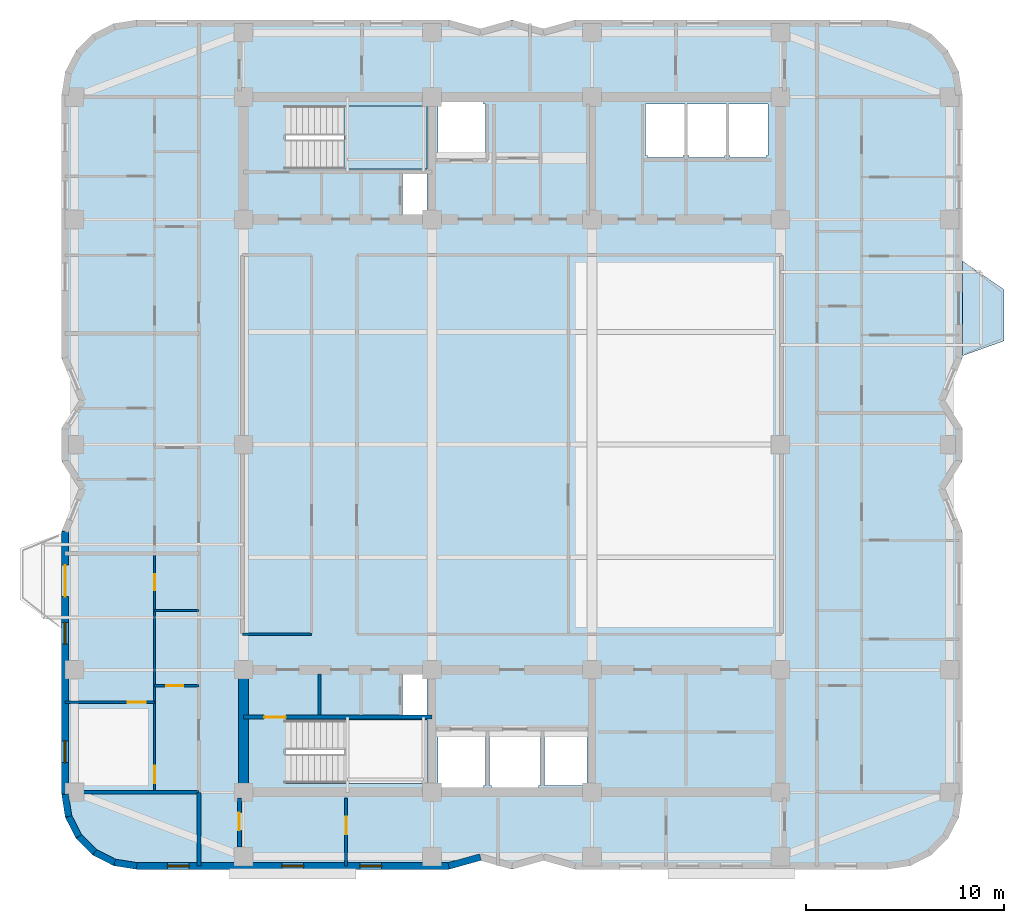
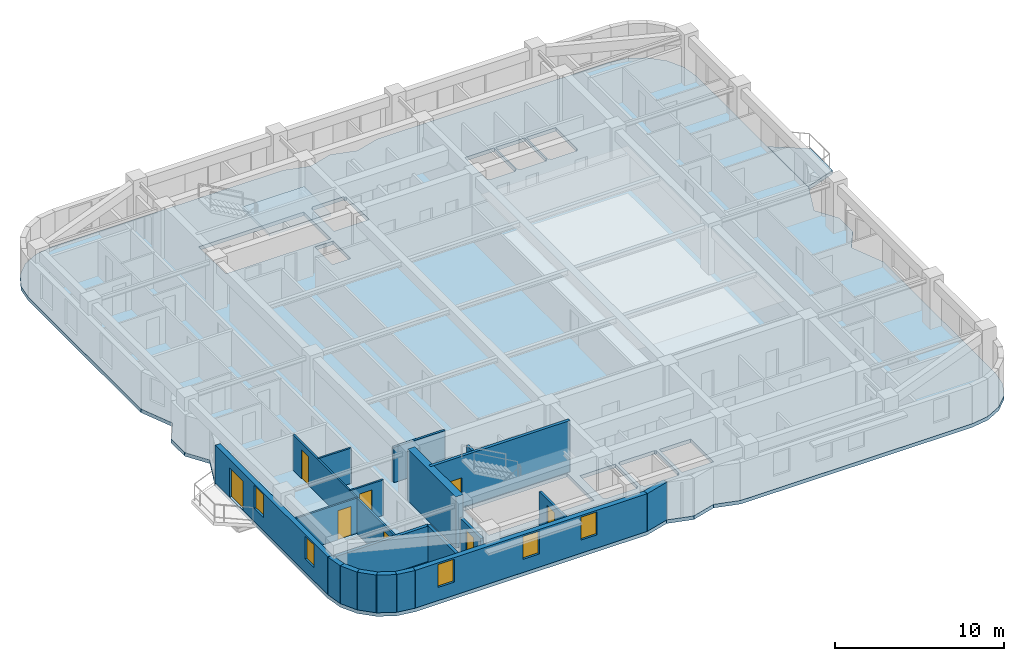
# One storey, part 2 of 9: 20 walls, 8 doors, 5 windows, 3 slabs, 13 openings, 1 element without a shape of its own.
"""IFC4 building model written with IfcOpenShell, lengths in metres."""

from ifc_helpers import new_model, si_unit, direction, frame, frame_2d, origin, place, context, subcontext, project, spatial, polyline, rectangle, outline, extrude, material, layer, layer_set, type_object, element, fill, aggregate, save


model = new_model("IFC4")

# Units and contexts
model_context = context("Model", 3, precision=1e-05, world=origin(), true_north=direction((0.0, 1.0)))
body_context = subcontext(model_context, "Body", "Model", "MODEL_VIEW")
ifc_project = project(units=[si_unit("LENGTHUNIT", "METRE"), si_unit("AREAUNIT", "SQUARE_METRE"), si_unit("VOLUMEUNIT", "CUBIC_METRE"), si_unit("PLANEANGLEUNIT", "RADIAN"), si_unit("MASSUNIT", "GRAM", prefix="KILO")], contexts=[model_context])

# Site, building, storey
site_placement = place(None, origin())
site = spatial("IfcSite", under=ifc_project, at=site_placement, CompositionType="ELEMENT")
building_placement = place(site_placement, origin())
building = spatial("IfcBuilding", under=site, at=building_placement, Name="Svetorya Sky Lyceum", CompositionType="ELEMENT")
storey_placement = place(building_placement, frame((0.0, 0.0, 155.199951171875)))
storey = spatial("IfcBuildingStorey", under=building, at=storey_placement, Name="L38", CompositionType="ELEMENT", Elevation=155.199951171875)

# Slab
ifc_material_1 = material(Name="Concrete C40/50", Category="concrete")
ifc_layer_1 = layer(ifc_material_1, 0.260009765625)
ifc_layer_set_1 = layer_set([ifc_layer_1], Name="Concrete C40/50")
slab_type_1 = type_object("IfcSlabType", Name="SL-BAL-260", PredefinedType="FLOOR", material=ifc_layer_set_1)
slab_1_placement = place(storey_placement, frame((0.0, 0.0, -0.260009765625)))
element("IfcSlab", 1, at=slab_1_placement, inside=storey, type_object=slab_type_1, Name="L38 Chamfered Loggia Balcony BAL-E1", PredefinedType="FLOOR", context=body_context, shape_type="SweptSolid", body=[
    extrude(outline(polyline([(62.010009765625, 32.699951171875), (64.110107421875, 33.449951171875), (64.110107421875, 36.050048828125), (62.010009765625, 37.5), (62.010009765625, 32.699951171875)])), origin(), (0.0, 0.0, 1.0), 0.260009765625),
])

# Stair, slab
stair_type = type_object("IfcStairType", Name="STR-ST-N", PredefinedType="HALF_TURN_STAIR", material=ifc_material_1)
stair_placement = place(storey_placement, origin())
stair = element("IfcStair", 2, at=stair_placement, inside=storey, type_object=stair_type, Name="L38 North Core Smoke-Free Exit Stair N3", PredefinedType="HALF_TURN_STAIR")
ifc_layer_2 = layer(ifc_material_1, 0.199951171875)
ifc_layer_set_2 = layer_set([ifc_layer_2], Name="Concrete C40/50")
slab_type_2 = type_object("IfcSlabType", Name="SL-STR-LAND-200", PredefinedType="LANDING", material=ifc_layer_set_2)
slab_2_placement = place(storey_placement, frame((0.0, 0.0, 1.650146484375)))
slab_2 = element("IfcSlab", 3, at=slab_2_placement, type_object=slab_type_2, Name="ST-N landing 1", PredefinedType="LANDING", context=body_context, shape_type="SweptSolid", body=[
    extrude(outline(polyline([(30.699951171875, 42.14990234375), (34.89990234375, 42.14990234375), (34.89990234375, 45.35009765625), (30.699951171875, 45.35009765625), (30.699951171875, 42.14990234375)])), origin(), (0.0, 0.0, 1.0), 0.199951171875),
])
aggregate(stair, [slab_2])

# Slab
ifc_material_2 = material(Name="Concrete C50/60", Category="concrete")
ifc_layer_3 = layer(ifc_material_2, 0.260009765625)
ifc_layer_set_3 = layer_set([ifc_layer_3], Name="Concrete C50/60")
slab_type_3 = type_object("IfcSlabType", Name="SL-TWR-260", PredefinedType="FLOOR", material=ifc_layer_set_3)
slab_3_placement = place(storey_placement, frame((0.0, 0.0, -0.260009765625)))
element("IfcSlab", 4, at=slab_3_placement, inside=storey, type_object=slab_type_3, Name="L38 Structural Floor Slab", PredefinedType="FLOOR", context=body_context, shape_type="SweptSolid", body=[
    extrude(outline(polyline([(16.39990234375, 10.5), (16.5859375, 9.32568359375), (17.125732421875, 8.266357421875), (17.96630859375, 7.42578125), (19.025634765625, 6.885986328125), (20.199951171875, 6.699951171875), (36.0, 6.699951171875), (37.60009765625, 7.14990234375), (39.199951171875, 6.699951171875), (40.800048828125, 7.14990234375), (42.39990234375, 6.699951171875), (58.199951171875, 6.699951171875), (59.374267578125, 6.885986328125), (60.43359375, 7.42578125), (61.2744140625, 8.266357421875), (61.81396484375, 9.32568359375), (62.0, 10.5), (62.0, 23.800048828125), (61.10009765625, 26.0), (62.0, 27.39990234375), (62.0, 29.0), (61.10009765625, 30.39990234375), (62.0, 32.60009765625), (62.0, 45.89990234375), (61.81396484375, 47.07421875), (61.2744140625, 48.133544921875), (60.43359375, 48.974365234375), (59.374267578125, 49.513916015625), (58.199951171875, 49.699951171875), (42.39990234375, 49.699951171875), (40.800048828125, 49.25), (39.199951171875, 49.699951171875), (37.60009765625, 49.25), (36.0, 49.699951171875), (20.199951171875, 49.699951171875), (19.025634765625, 49.513916015625), (17.96630859375, 48.974365234375), (17.125732421875, 48.133544921875), (16.5859375, 47.07421875), (16.39990234375, 45.89990234375), (16.39990234375, 32.60009765625), (17.300048828125, 30.39990234375), (16.39990234375, 29.0), (16.39990234375, 27.39990234375), (17.300048828125, 26.0), (16.39990234375, 23.800048828125), (16.39990234375, 10.5)]), holes=[polyline([(37.85009765625, 10.949951171875), (37.75, 10.949951171875), (37.75, 10.85009765625), (35.550048828125, 10.85009765625), (35.550048828125, 10.949951171875), (35.449951171875, 10.949951171875), (35.449951171875, 13.64990234375), (35.550048828125, 13.64990234375), (37.75, 13.64990234375), (37.85009765625, 13.64990234375), (37.85009765625, 10.949951171875)]), polyline([(38.14990234375, 10.800048828125), (38.14990234375, 10.949951171875), (38.050048828125, 10.949951171875), (38.050048828125, 13.64990234375), (38.14990234375, 13.64990234375), (38.14990234375, 13.699951171875), (40.550048828125, 13.699951171875), (40.550048828125, 13.64990234375), (40.64990234375, 13.64990234375), (40.64990234375, 10.949951171875), (40.550048828125, 10.949951171875), (40.550048828125, 10.800048828125), (38.14990234375, 10.800048828125)]), polyline([(27.719970703125, 11.050048828125), (27.719970703125, 14.25), (34.89990234375, 14.25), (34.89990234375, 11.050048828125), (27.719970703125, 11.050048828125)]), polyline([(33.64990234375, 14.52001953125), (33.64990234375, 16.580078125), (34.89990234375, 16.580078125), (34.89990234375, 14.52001953125), (33.64990234375, 14.52001953125)]), polyline([(33.64990234375, 39.820068359375), (33.64990234375, 41.89990234375), (34.89990234375, 41.89990234375), (34.89990234375, 39.820068359375), (33.64990234375, 39.820068359375)]), polyline([(27.719970703125, 42.14990234375), (27.719970703125, 45.35009765625), (34.89990234375, 45.35009765625), (34.89990234375, 42.14990234375), (27.719970703125, 42.14990234375)]), polyline([(37.75, 42.75), (35.550048828125, 42.75), (35.449951171875, 42.75), (35.449951171875, 45.449951171875), (35.550048828125, 45.449951171875), (35.550048828125, 45.550048828125), (37.75, 45.550048828125), (37.75, 45.449951171875), (37.85009765625, 45.449951171875), (37.85009765625, 42.75), (37.75, 42.75)]), polyline([(40.85009765625, 10.949951171875), (40.85009765625, 13.64990234375), (43.0, 13.64990234375), (43.0, 10.949951171875), (40.85009765625, 10.949951171875)]), polyline([(46.050048828125, 42.75), (46.050048828125, 42.85009765625), (45.949951171875, 42.85009765625), (45.949951171875, 45.449951171875), (46.050048828125, 45.449951171875), (47.85009765625, 45.449951171875), (47.949951171875, 45.449951171875), (47.949951171875, 42.85009765625), (47.85009765625, 42.85009765625), (47.85009765625, 42.75), (46.050048828125, 42.75)]), polyline([(50.050048828125, 42.85009765625), (49.949951171875, 42.85009765625), (49.949951171875, 42.75), (48.14990234375, 42.75), (48.14990234375, 42.85009765625), (48.050048828125, 42.85009765625), (48.050048828125, 45.449951171875), (48.14990234375, 45.449951171875), (49.949951171875, 45.449951171875), (50.050048828125, 45.449951171875), (50.050048828125, 42.85009765625)]), polyline([(52.14990234375, 42.85009765625), (52.050048828125, 42.85009765625), (52.050048828125, 42.75), (50.25, 42.75), (50.25, 42.85009765625), (50.14990234375, 42.85009765625), (50.14990234375, 45.449951171875), (50.25, 45.449951171875), (52.050048828125, 45.449951171875), (52.14990234375, 45.449951171875), (52.14990234375, 42.85009765625)])]), origin(), (0.0, 0.0, 1.0), 0.260009765625),
])

# Walls
ifc_layer_4 = layer(ifc_material_2, 0.5)
ifc_layer_set_4 = layer_set([ifc_layer_4], Name="Concrete C50/60")
wall_type_1 = type_object("IfcWallType", Name="WL-CORE-500", PredefinedType="SHEAR", material=ifc_layer_set_4)
wall_1_placement = place(storey_placement, frame((25.60009765625, 10.85009765625, 0.0), z_axis=(0.0, 0.0, 1.0), x_axis=(0.0, 1.0, 0.0)))
element("IfcWall", 5, at=wall_1_placement, inside=storey, type_object=wall_type_1, Name="L38 SC West Core Shear Wall", PredefinedType="SHEAR", context=body_context, shape_type="SweptSolid", body=[
    extrude(rectangle(XDim=5.699951171875, YDim=0.5, at=frame_2d((2.85009765625, 0.0))), origin(), (0.0, 0.0, 1.0), 3.699951171875),
])
ifc_material_3 = material(Name="Putilovo limestone rainscreen on autoclaved cellular masonry", Category="masonry")
ifc_layer_5 = layer(ifc_material_3, 0.340087890625)
ifc_layer_set_5 = layer_set([ifc_layer_5], Name="Putilovo limestone rainscreen on autoclaved cellular masonry")
wall_type_2 = type_object("IfcWallType", Name="WL-EXT-340", PredefinedType="SOLIDWALL", material=ifc_layer_set_5)
wall_2_placement = place(storey_placement, frame((16.570068359375, 10.5, 0.0), z_axis=(0.0, 0.0, 1.0), x_axis=(0.156514556949, -0.987675651954, 0.0)))
element("IfcWall", 6, at=wall_2_placement, inside=storey, type_object=wall_type_2, Name="L38 Limestone Exterior Wall 1M", PredefinedType="SOLIDWALL", context=body_context, shape_type="SweptSolid", body=[
    extrude(rectangle(XDim=1.135498046875, YDim=0.340087890625, at=frame_2d((0.56787109375, 0.0))), origin(), (0.0, 0.0, 1.0), 2.719970703125),
])
for number, where, z_axis, x_axis, name in (
    (7, (16.747802734375, 9.37841796875, 0.0), (0.0, 0.0, 1.0), (0.45373580117, -0.891136253744, 0.0), "L38 Limestone Exterior Wall 2M"),
    (8, (17.26318359375, 8.3662109375, 0.0), (0.0, 0.0, 1.0), (0.707214252388, -0.706999293649, 0.0), "L38 Limestone Exterior Wall 3M"),
    (9, (18.06640625, 7.563232421875, 0.0), (0.0, 0.0, 1.0), (0.891005044957, -0.453993402883, 0.0), "L38 Limestone Exterior Wall 4M"),
):
    element("IfcWall", number, at=place(storey_placement, frame(where, z_axis=z_axis, x_axis=x_axis)), inside=storey, type_object=wall_type_2, Name=name, PredefinedType="SOLIDWALL", context=body_context, shape_type="SweptSolid", body=[
        extrude(rectangle(XDim=1.1357421875, YDim=0.340087890625, at=frame_2d((0.56787109375, 0.0))), origin(), (0.0, 0.0, 1.0), 2.719970703125),
    ])
wall_3_placement = place(storey_placement, frame((19.078369140625, 7.047607421875, 0.0), z_axis=(0.0, 0.0, 1.0), x_axis=(0.987708865555, -0.156304820474, 0.0)))
element("IfcWall", 10, at=wall_3_placement, inside=storey, type_object=wall_type_2, Name="L38 Limestone Exterior Wall 5M", PredefinedType="SOLIDWALL", context=body_context, shape_type="SweptSolid", body=[
    extrude(rectangle(XDim=1.135498046875, YDim=0.340087890625, at=frame_2d((0.56787109375, 0.0))), origin(), (0.0, 0.0, 1.0), 2.719970703125),
])

# Wall, openings, windows
wall_4_placement = place(storey_placement, frame((20.199951171875, 6.8701171875, 0.0), z_axis=(0.0, 0.0, 1.0), x_axis=(1.0, 0.0, 0.0)))
wall_4 = element("IfcWall", 11, at=wall_4_placement, inside=storey, type_object=wall_type_2, Name="L38 Limestone Exterior Wall 6M", PredefinedType="SOLIDWALL", context=body_context, shape_type="SweptSolid", body=[
    extrude(rectangle(XDim=15.800048828125, YDim=0.340087890625, at=frame_2d((7.89990234375, 0.0))), origin(), (0.0, 0.0, 1.0), 2.719970703125),
])
opening_1_placement = place(wall_4_placement, frame((1.550048828125, 0.0, 0.949951171875)))
opening_1 = element("IfcOpeningElement", 12, at=opening_1_placement, cuts=wall_4, Name="Opening W-R3", PredefinedType="OPENING", context=body_context, shape_type="SweptSolid", body=[
    extrude(rectangle(XDim=1.10009765625, YDim=1.64990234375, at=frame_2d((0.550048828125, 0.824951171875))), frame((0.0, 0.179931640625, 0.0), z_axis=(0.0, -1.0, 0.0), x_axis=(1.0, 0.0, 0.0)), (0.0, 0.0, 1.0), 0.360107421875),
])
opening_2_placement = place(wall_4_placement, frame((7.35009765625, 0.0, 0.949951171875)))
opening_2 = element("IfcOpeningElement", 13, at=opening_2_placement, cuts=wall_4, Name="Opening W-R3", PredefinedType="OPENING", context=body_context, shape_type="SweptSolid", body=[
    extrude(rectangle(XDim=1.10009765625, YDim=1.64990234375, at=frame_2d((0.550048828125, 0.824951171875))), frame((0.0, 0.179931640625, 0.0), z_axis=(0.0, -1.0, 0.0), x_axis=(1.0, 0.0, 0.0)), (0.0, 0.0, 1.0), 0.360107421875),
])
opening_3_placement = place(wall_4_placement, frame((11.300048828125, 0.0, 0.949951171875)))
opening_3 = element("IfcOpeningElement", 14, at=opening_3_placement, cuts=wall_4, Name="Opening W-R3", PredefinedType="OPENING", context=body_context, shape_type="SweptSolid", body=[
    extrude(rectangle(XDim=1.10009765625, YDim=1.64990234375, at=frame_2d((0.550048828125, 0.824951171875))), frame((0.0, 0.179931640625, 0.0), z_axis=(0.0, -1.0, 0.0), x_axis=(1.0, 0.0, 0.0)), (0.0, 0.0, 1.0), 0.360107421875),
])
ifc_material_4 = material(Name="Thermally broken aluminium frame with triple low-E glazing", Category="aluminium")
window_type = type_object("IfcWindowType", Name="WN-RES-110", PartitioningType="SINGLE_PANEL", PredefinedType="WINDOW", material=ifc_material_4)
window_1_placement = place(opening_1_placement, origin())
window_1 = element("IfcWindow", 15, at=window_1_placement, inside=storey, type_object=window_type, Name="L38 Facade Window W-R3.6M.1", OverallHeight=1.64990234375, OverallWidth=1.10009765625, PartitioningType="SINGLE_PANEL", PredefinedType="WINDOW", context=body_context, shape_type="SweptSolid", body=[
    extrude(rectangle(XDim=1.10009765625, YDim=1.64990234375, at=frame_2d((0.550048828125, 0.824951171875))), frame((0.0, 0.030029296875, 0.0), z_axis=(0.0, -1.0, 0.0), x_axis=(1.0, 0.0, 0.0)), (0.0, 0.0, 1.0), 0.06005859375),
])
fill(opening_1, window_1)
window_2_placement = place(opening_2_placement, origin())
window_2 = element("IfcWindow", 16, at=window_2_placement, inside=storey, type_object=window_type, Name="L38 Facade Window W-R3.6M.2", OverallHeight=1.64990234375, OverallWidth=1.10009765625, PartitioningType="SINGLE_PANEL", PredefinedType="WINDOW", context=body_context, shape_type="SweptSolid", body=[
    extrude(rectangle(XDim=1.10009765625, YDim=1.64990234375, at=frame_2d((0.550048828125, 0.824951171875))), frame((0.0, 0.030029296875, 0.0), z_axis=(0.0, -1.0, 0.0), x_axis=(1.0, 0.0, 0.0)), (0.0, 0.0, 1.0), 0.06005859375),
])
fill(opening_2, window_2)
window_3_placement = place(opening_3_placement, origin())
window_3 = element("IfcWindow", 17, at=window_3_placement, inside=storey, type_object=window_type, Name="L38 Facade Window W-R3.6M.3", OverallHeight=1.64990234375, OverallWidth=1.10009765625, PartitioningType="SINGLE_PANEL", PredefinedType="WINDOW", context=body_context, shape_type="SweptSolid", body=[
    extrude(rectangle(XDim=1.10009765625, YDim=1.64990234375, at=frame_2d((0.550048828125, 0.824951171875))), frame((0.0, 0.030029296875, 0.0), z_axis=(0.0, -1.0, 0.0), x_axis=(1.0, 0.0, 0.0)), (0.0, 0.0, 1.0), 0.06005859375),
])
fill(opening_3, window_3)

# Wall
wall_5_placement = place(storey_placement, frame((36.0, 6.8701171875, 0.0), z_axis=(0.0, 0.0, 1.0), x_axis=(0.962662902433, 0.270703040766, 0.0)))
element("IfcWall", 18, at=wall_5_placement, inside=storey, type_object=wall_type_2, Name="L38 Limestone Exterior Wall 7M", PredefinedType="SOLIDWALL", context=body_context, shape_type="SweptSolid", body=[
    extrude(rectangle(XDim=1.662109375, YDim=0.340087890625, at=frame_2d((0.8310546875, 0.0))), origin(), (0.0, 0.0, 1.0), 2.719970703125),
])

# Wall, openings, door, windows
wall_6_placement = place(storey_placement, frame((16.570068359375, 23.800048828125, 0.0), z_axis=(0.0, 0.0, 1.0), x_axis=(0.0, -1.0, 0.0)))
wall_6 = element("IfcWall", 19, at=wall_6_placement, inside=storey, type_object=wall_type_2, Name="L38 Limestone Exterior Wall 46M", PredefinedType="SOLIDWALL", context=body_context, shape_type="SweptSolid", body=[
    extrude(rectangle(XDim=13.300048828125, YDim=0.340087890625, at=frame_2d((6.64990234375, 0.0))), origin(), (0.0, 0.0, 1.0), 2.719970703125),
])
opening_4_placement = place(wall_6_placement, frame((1.699951171875, 0.0, 0.0)))
opening_4 = element("IfcOpeningElement", 20, at=opening_4_placement, cuts=wall_6, Name="Opening D-BL1", PredefinedType="OPENING", context=body_context, shape_type="SweptSolid", body=[
    extrude(rectangle(XDim=1.60009765625, YDim=2.10009765625, at=frame_2d((0.800048828125, 1.050048828125))), frame((0.0, 0.179931640625, 0.0), z_axis=(0.0, -1.0, 0.0), x_axis=(1.0, 0.0, 0.0)), (0.0, 0.0, 1.0), 0.360107421875),
])
opening_5_placement = place(wall_6_placement, frame((4.60009765625, 0.0, 0.949951171875)))
opening_5 = element("IfcOpeningElement", 21, at=opening_5_placement, cuts=wall_6, Name="Opening W-R3", PredefinedType="OPENING", context=body_context, shape_type="SweptSolid", body=[
    extrude(rectangle(XDim=1.10009765625, YDim=1.64990234375, at=frame_2d((0.550048828125, 0.824951171875))), frame((0.0, 0.179931640625, 0.0), z_axis=(0.0, -1.0, 0.0), x_axis=(1.0, 0.0, 0.0)), (0.0, 0.0, 1.0), 0.360107421875),
])
opening_6_placement = place(wall_6_placement, frame((10.60009765625, 0.0, 0.949951171875)))
opening_6 = element("IfcOpeningElement", 22, at=opening_6_placement, cuts=wall_6, Name="Opening W-R3", PredefinedType="OPENING", context=body_context, shape_type="SweptSolid", body=[
    extrude(rectangle(XDim=1.10009765625, YDim=1.64990234375, at=frame_2d((0.550048828125, 0.824951171875))), frame((0.0, 0.179931640625, 0.0), z_axis=(0.0, -1.0, 0.0), x_axis=(1.0, 0.0, 0.0)), (0.0, 0.0, 1.0), 0.360107421875),
])
ifc_material_5 = material(Name="Insulated glazed aluminium balcony door", Category="aluminium")
door_type_1 = type_object("IfcDoorType", Name="DR-BAL-1600", OperationType="DOUBLE_DOOR_SINGLE_SWING", PredefinedType="DOOR", material=ifc_material_5)
door_1_placement = place(opening_4_placement, origin())
door_1 = element("IfcDoor", 23, at=door_1_placement, inside=storey, type_object=door_type_1, Name="L38 Balcony BAL-W1 Door", OperationType="DOUBLE_DOOR_SINGLE_SWING", OverallHeight=2.10009765625, OverallWidth=1.60009765625, PredefinedType="DOOR", context=body_context, shape_type="SweptSolid", body=[
    extrude(rectangle(XDim=1.60009765625, YDim=2.10009765625, at=frame_2d((0.800048828125, 1.050048828125))), frame((0.0, 0.02490234375, 0.0), z_axis=(0.0, -1.0, 0.0), x_axis=(1.0, 0.0, 0.0)), (0.0, 0.0, 1.0), 0.050048828125),
])
fill(opening_4, door_1)
window_4_placement = place(opening_5_placement, origin())
window_4 = element("IfcWindow", 24, at=window_4_placement, inside=storey, type_object=window_type, Name="L38 Facade Window W-R3.46M.1", OverallHeight=1.64990234375, OverallWidth=1.10009765625, PartitioningType="SINGLE_PANEL", PredefinedType="WINDOW", context=body_context, shape_type="SweptSolid", body=[
    extrude(rectangle(XDim=1.10009765625, YDim=1.64990234375, at=frame_2d((0.550048828125, 0.824951171875))), frame((0.0, 0.030029296875, 0.0), z_axis=(0.0, -1.0, 0.0), x_axis=(1.0, 0.0, 0.0)), (0.0, 0.0, 1.0), 0.06005859375),
])
fill(opening_5, window_4)
window_5_placement = place(opening_6_placement, origin())
window_5 = element("IfcWindow", 25, at=window_5_placement, inside=storey, type_object=window_type, Name="L38 Facade Window W-R3.46M.2", OverallHeight=1.64990234375, OverallWidth=1.10009765625, PartitioningType="SINGLE_PANEL", PredefinedType="WINDOW", context=body_context, shape_type="SweptSolid", body=[
    extrude(rectangle(XDim=1.10009765625, YDim=1.64990234375, at=frame_2d((0.550048828125, 0.824951171875))), frame((0.0, 0.030029296875, 0.0), z_axis=(0.0, -1.0, 0.0), x_axis=(1.0, 0.0, 0.0)), (0.0, 0.0, 1.0), 0.06005859375),
])
fill(opening_6, window_5)

# Wall, opening, door
ifc_material_6 = material(Name="Twin-stud galvanized framing with double fireboard", Category="gypsum")
ifc_layer_6 = layer(ifc_material_6, 0.1201171875)
ifc_layer_set_6 = layer_set([ifc_layer_6], Name="Twin-stud galvanized framing with double fireboard")
wall_type_3 = type_object("IfcWallType", Name="WL-PART-120", PredefinedType="PARTITIONING", material=ifc_layer_set_6)
wall_7_placement = place(storey_placement, frame((21.10009765625, 16.0, 0.0), z_axis=(0.0, 0.0, 1.0), x_axis=(1.0, 0.0, 0.0)))
wall_7 = element("IfcWall", 26, at=wall_7_placement, inside=storey, type_object=wall_type_3, Name="L38 Interior Partition W1-WH1", PredefinedType="PARTITIONING", context=body_context, shape_type="SweptSolid", body=[
    extrude(rectangle(XDim=2.25, YDim=0.1201171875, at=frame_2d((1.125, 0.0))), origin(), (0.0, 0.0, 1.0), 2.550048828125),
])
opening_7_placement = place(wall_7_placement, frame((0.60009765625, 0.0, 0.0)))
opening_7 = element("IfcOpeningElement", 27, at=opening_7_placement, cuts=wall_7, Name="Opening D-BT1", PredefinedType="OPENING", context=body_context, shape_type="SweptSolid", body=[
    extrude(rectangle(XDim=0.85009765625, YDim=2.10009765625, at=frame_2d((0.425048828125, 1.050048828125))), frame((0.0, 0.070068359375, 0.0), z_axis=(0.0, -1.0, 0.0), x_axis=(1.0, 0.0, 0.0)), (0.0, 0.0, 1.0), 0.14013671875),
])
ifc_material_7 = material(Name="Moisture-resistant laminate bathroom door")
door_type_2 = type_object("IfcDoorType", Name="DR-WET-850", OperationType="SINGLE_SWING_LEFT", PredefinedType="DOOR", material=ifc_material_7)
door_2_placement = place(opening_7_placement, origin())
door_2 = element("IfcDoor", 28, at=door_2_placement, inside=storey, type_object=door_type_2, Name="Apartment W1 Bathroom Door", OperationType="SINGLE_SWING_LEFT", OverallHeight=2.10009765625, OverallWidth=0.85009765625, PredefinedType="DOOR", context=body_context, shape_type="SweptSolid", body=[
    extrude(rectangle(XDim=0.85009765625, YDim=2.10009765625, at=frame_2d((0.425048828125, 1.050048828125))), frame((0.0, 0.02490234375, 0.0), z_axis=(0.0, -1.0, 0.0), x_axis=(1.0, 0.0, 0.0)), (0.0, 0.0, 1.0), 0.050048828125),
])
fill(opening_7, door_2)

# Wall
wall_8_placement = place(storey_placement, frame((21.10009765625, 19.800048828125, 0.0), z_axis=(0.0, 0.0, 1.0), x_axis=(1.0, 0.0, 0.0)))
element("IfcWall", 29, at=wall_8_placement, inside=storey, type_object=wall_type_3, Name="L38 Interior Partition W1-WH2", PredefinedType="PARTITIONING", context=body_context, shape_type="SweptSolid", body=[
    extrude(rectangle(XDim=2.25, YDim=0.1201171875, at=frame_2d((1.125, 0.0))), origin(), (0.0, 0.0, 1.0), 2.550048828125),
])

# Wall, opening, door
wall_9_placement = place(storey_placement, frame((16.570068359375, 15.14990234375, 0.0), z_axis=(0.0, 0.0, 1.0), x_axis=(1.0, 0.0, 0.0)))
wall_9 = element("IfcWall", 30, at=wall_9_placement, inside=storey, type_object=wall_type_3, Name="L38 Interior Partition W1-WL1", PredefinedType="PARTITIONING", context=body_context, shape_type="SweptSolid", body=[
    extrude(rectangle(XDim=4.530029296875, YDim=0.1201171875, at=frame_2d((2.26513671875, 0.0))), origin(), (0.0, 0.0, 1.0), 2.550048828125),
])
opening_8_placement = place(wall_9_placement, frame((3.179931640625, 0.0, 0.0)))
opening_8 = element("IfcOpeningElement", 31, at=opening_8_placement, cuts=wall_9, Name="Opening D-RM1", PredefinedType="OPENING", context=body_context, shape_type="SweptSolid", body=[
    extrude(rectangle(XDim=0.89990234375, YDim=2.10009765625, at=frame_2d((0.449951171875, 1.050048828125))), frame((0.0, 0.070068359375, 0.0), z_axis=(0.0, -1.0, 0.0), x_axis=(1.0, 0.0, 0.0)), (0.0, 0.0, 1.0), 0.14013671875),
])
ifc_material_8 = material(Name="Lacquered birch veneer internal door")
door_type_3 = type_object("IfcDoorType", Name="DR-INT-900", OperationType="SINGLE_SWING_LEFT", PredefinedType="DOOR", material=ifc_material_8)
door_3_placement = place(opening_8_placement, origin())
door_3 = element("IfcDoor", 32, at=door_3_placement, inside=storey, type_object=door_type_3, Name="Apartment W1 Bedroom 1 Door", OperationType="SINGLE_SWING_LEFT", OverallHeight=2.10009765625, OverallWidth=0.89990234375, PredefinedType="DOOR", context=body_context, shape_type="SweptSolid", body=[
    extrude(rectangle(XDim=0.89990234375, YDim=2.10009765625, at=frame_2d((0.449951171875, 1.050048828125))), frame((0.0, 0.02490234375, 0.0), z_axis=(0.0, -1.0, 0.0), x_axis=(1.0, 0.0, 0.0)), (0.0, 0.0, 1.0), 0.050048828125),
])
fill(opening_8, door_3)

# Wall, openings, doors
wall_10_placement = place(storey_placement, frame((21.10009765625, 10.639892578125, 0.0), z_axis=(0.0, 0.0, 1.0), x_axis=(0.0, 1.0, 0.0)))
wall_10 = element("IfcWall", 33, at=wall_10_placement, inside=storey, type_object=wall_type_3, Name="L38 Interior Partition W1-WV", PredefinedType="PARTITIONING", context=body_context, shape_type="SweptSolid", body=[
    extrude(rectangle(XDim=12.02001953125, YDim=0.1201171875, at=frame_2d((6.010009765625, 0.0))), origin(), (0.0, 0.0, 1.0), 2.550048828125),
])
opening_9_placement = place(wall_10_placement, frame((0.409912109375, 0.0, 0.0)))
opening_9 = element("IfcOpeningElement", 34, at=opening_9_placement, cuts=wall_10, Name="Opening D-RM1", PredefinedType="OPENING", context=body_context, shape_type="SweptSolid", body=[
    extrude(rectangle(XDim=0.89990234375, YDim=2.10009765625, at=frame_2d((0.449951171875, 1.050048828125))), frame((0.0, 0.070068359375, 0.0), z_axis=(0.0, -1.0, 0.0), x_axis=(1.0, 0.0, 0.0)), (0.0, 0.0, 1.0), 0.14013671875),
])
opening_10_placement = place(wall_10_placement, frame((10.18505859375, 0.0, 0.0)))
opening_10 = element("IfcOpeningElement", 35, at=opening_10_placement, cuts=wall_10, Name="Opening D-BT2", PredefinedType="OPENING", context=body_context, shape_type="SweptSolid", body=[
    extrude(rectangle(XDim=0.820068359375, YDim=2.080078125, at=frame_2d((0.41015625, 1.0400390625))), frame((0.0, 0.070068359375, 0.0), z_axis=(0.0, -1.0, 0.0), x_axis=(1.0, 0.0, 0.0)), (0.0, 0.0, 1.0), 0.14013671875),
])
door_4_placement = place(opening_9_placement, origin())
door_4 = element("IfcDoor", 36, at=door_4_placement, inside=storey, type_object=door_type_3, Name="Apartment W1 Living Door", OperationType="SINGLE_SWING_RIGHT", OverallHeight=2.10009765625, OverallWidth=0.89990234375, PredefinedType="DOOR", context=body_context, shape_type="SweptSolid", body=[
    extrude(rectangle(XDim=0.89990234375, YDim=2.10009765625, at=frame_2d((0.449951171875, 1.050048828125))), frame((0.0, 0.02490234375, 0.0), z_axis=(0.0, -1.0, 0.0), x_axis=(1.0, 0.0, 0.0)), (0.0, 0.0, 1.0), 0.050048828125),
])
fill(opening_9, door_4)
ifc_material_9 = material(Name="Compact moisture-resistant laminate closet door")
door_type_4 = type_object("IfcDoorType", Name="DR-WET-820", OperationType="SINGLE_SWING_LEFT", PredefinedType="DOOR", material=ifc_material_9)
door_5_placement = place(opening_10_placement, origin())
door_5 = element("IfcDoor", 37, at=door_5_placement, inside=storey, type_object=door_type_4, Name="Apartment W1 Study Door", OperationType="SINGLE_SWING_LEFT", OverallHeight=2.080078125, OverallWidth=0.820068359375, PredefinedType="DOOR", context=body_context, shape_type="SweptSolid", body=[
    extrude(rectangle(XDim=0.820068359375, YDim=2.080078125, at=frame_2d((0.41015625, 1.0400390625))), frame((0.0, 0.02490234375, 0.0), z_axis=(0.0, -1.0, 0.0), x_axis=(1.0, 0.0, 0.0)), (0.0, 0.0, 1.0), 0.050048828125),
])
fill(opening_10, door_5)

# Walls
ifc_material_10 = material(Name="Autoclaved cellular masonry blockwork with acoustic render", Category="masonry")
ifc_layer_7 = layer(ifc_material_10, 0.14990234375)
ifc_layer_set_7 = layer_set([ifc_layer_7], Name="Autoclaved cellular masonry blockwork with acoustic render")
wall_type_4 = type_object("IfcWallType", Name="WL-PART-150", PredefinedType="PARTITIONING", material=ifc_layer_set_7)
wall_11_placement = place(storey_placement, frame((29.449951171875, 14.5, 0.0), z_axis=(0.0, 0.0, 1.0), x_axis=(0.0, 1.0, 0.0)))
element("IfcWall", 38, at=wall_11_placement, inside=storey, type_object=wall_type_4, Name="L38 Interior Partition SC-SWD1", PredefinedType="PARTITIONING", context=body_context, shape_type="SweptSolid", body=[
    extrude(rectangle(XDim=2.080078125, YDim=0.14990234375, at=frame_2d((1.0400390625, 0.0))), origin(), (0.0, 0.0, 1.0), 2.550048828125),
])
wall_12_placement = place(storey_placement, frame((25.550048828125, 18.60009765625, 0.0), z_axis=(0.0, 0.0, 1.0), x_axis=(1.0, 0.0, 0.0)))
element("IfcWall", 39, at=wall_12_placement, inside=storey, type_object=wall_type_4, Name="L38 Interior Partition OFF-CS-W", PredefinedType="PARTITIONING", context=body_context, shape_type="SweptSolid", body=[
    extrude(rectangle(XDim=3.5, YDim=0.14990234375, at=frame_2d((1.75, 0.0))), origin(), (0.0, 0.0, 1.0), 2.550048828125),
])

# Wall, opening, door
wall_13_placement = place(storey_placement, frame((30.800048828125, 6.8701171875, 0.0), z_axis=(0.0, 0.0, 1.0), x_axis=(0.0, 1.0, 0.0)))
wall_13 = element("IfcWall", 40, at=wall_13_placement, inside=storey, type_object=wall_type_4, Name="L38 Interior Partition S4-D1", PredefinedType="PARTITIONING", context=body_context, shape_type="SweptSolid", body=[
    extrude(rectangle(XDim=3.429931640625, YDim=0.14990234375, at=frame_2d((1.71484375, 0.0))), origin(), (0.0, 0.0, 1.0), 2.550048828125),
])
opening_11_placement = place(wall_13_placement, frame((1.60009765625, 0.0, 0.0)))
opening_11 = element("IfcOpeningElement", 41, at=opening_11_placement, cuts=wall_13, Name="Opening D-RM1", PredefinedType="OPENING", context=body_context, shape_type="SweptSolid", body=[
    extrude(rectangle(XDim=0.89990234375, YDim=2.10009765625, at=frame_2d((0.449951171875, 1.050048828125))), frame((0.0, 0.0849609375, 0.0), z_axis=(0.0, -1.0, 0.0), x_axis=(1.0, 0.0, 0.0)), (0.0, 0.0, 1.0), 0.169921875),
])
door_6_placement = place(opening_11_placement, origin())
door_6 = element("IfcDoor", 42, at=door_6_placement, inside=storey, type_object=door_type_3, Name="L38 South Suite Door 1", OperationType="SINGLE_SWING_LEFT", OverallHeight=2.10009765625, OverallWidth=0.89990234375, PredefinedType="DOOR", context=body_context, shape_type="SweptSolid", body=[
    extrude(rectangle(XDim=0.89990234375, YDim=2.10009765625, at=frame_2d((0.449951171875, 1.050048828125))), frame((0.0, 0.02490234375, 0.0), z_axis=(0.0, -1.0, 0.0), x_axis=(1.0, 0.0, 0.0)), (0.0, 0.0, 1.0), 0.050048828125),
])
fill(opening_11, door_6)

# Walls
ifc_material_11 = material(Name="Autoclaved cellular masonry blockwork with gypsum plaster", Category="masonry")
ifc_layer_8 = layer(ifc_material_11, 0.199951171875)
ifc_layer_set_8 = layer_set([ifc_layer_8], Name="Autoclaved cellular masonry blockwork with gypsum plaster")
wall_type_5 = type_object("IfcWallType", Name="WL-PART-200", PredefinedType="PARTITIONING", material=ifc_layer_set_8)
wall_14_placement = place(storey_placement, frame((16.989990234375, 10.60009765625, 0.0), z_axis=(0.0, 0.0, 1.0), x_axis=(1.0, 0.0, 0.0)))
element("IfcWall", 43, at=wall_14_placement, inside=storey, type_object=wall_type_5, Name="L38 Interior Partition W-CAP-S", PredefinedType="PARTITIONING", context=body_context, shape_type="SweptSolid", body=[
    extrude(rectangle(XDim=6.360107421875, YDim=0.199951171875, at=frame_2d((3.18017578125, 0.0))), origin(), (0.0, 0.0, 1.0), 2.550048828125),
])
wall_15_placement = place(storey_placement, frame((23.35009765625, 6.8701171875, 0.0), z_axis=(0.0, 0.0, 1.0), x_axis=(0.0, 1.0, 0.0)))
element("IfcWall", 44, at=wall_15_placement, inside=storey, type_object=wall_type_5, Name="L38 Interior Partition WC-SW-END", PredefinedType="PARTITIONING", context=body_context, shape_type="SweptSolid", body=[
    extrude(rectangle(XDim=3.72998046875, YDim=0.199951171875, at=frame_2d((1.864990234375, 0.0))), origin(), (0.0, 0.0, 1.0), 2.550048828125),
])

# Wall, opening, door
wall_16_placement = place(storey_placement, frame((25.39990234375, 7.820068359375, 0.0), z_axis=(0.0, 0.0, 1.0), x_axis=(0.0, 1.0, 0.0)))
wall_16 = element("IfcWall", 45, at=wall_16_placement, inside=storey, type_object=wall_type_5, Name="L38 Interior Partition S4-EW", PredefinedType="PARTITIONING", context=body_context, shape_type="SweptSolid", body=[
    extrude(rectangle(XDim=2.47998046875, YDim=0.199951171875, at=frame_2d((1.239990234375, 0.0))), origin(), (0.0, 0.0, 1.0), 2.550048828125),
])
opening_12_placement = place(wall_16_placement, frame((0.85009765625, 0.0, 0.0)))
opening_12 = element("IfcOpeningElement", 46, at=opening_12_placement, cuts=wall_16, Name="Opening D-RM1", PredefinedType="OPENING", context=body_context, shape_type="SweptSolid", body=[
    extrude(rectangle(XDim=0.89990234375, YDim=2.10009765625, at=frame_2d((0.449951171875, 1.050048828125))), frame((0.0, 0.10986328125, 0.0), z_axis=(0.0, -1.0, 0.0), x_axis=(1.0, 0.0, 0.0)), (0.0, 0.0, 1.0), 0.219970703125),
])
door_7_placement = place(opening_12_placement, origin())
door_7 = element("IfcDoor", 47, at=door_7_placement, inside=storey, type_object=door_type_3, Name="L38 SW Office Door", OperationType="SINGLE_SWING_LEFT", OverallHeight=2.10009765625, OverallWidth=0.89990234375, PredefinedType="DOOR", context=body_context, shape_type="SweptSolid", body=[
    extrude(rectangle(XDim=0.89990234375, YDim=2.10009765625, at=frame_2d((0.449951171875, 1.050048828125))), frame((0.0, 0.02490234375, 0.0), z_axis=(0.0, -1.0, 0.0), x_axis=(1.0, 0.0, 0.0)), (0.0, 0.0, 1.0), 0.050048828125),
])
fill(opening_12, door_7)

ifc_layer_9 = layer(ifc_material_2, 0.199951171875)
ifc_layer_set_9 = layer_set([ifc_layer_9], Name="Concrete C50/60")
wall_type_6 = type_object("IfcWallType", Name="WL-SHW-200", PredefinedType="SHEAR", material=ifc_layer_set_9)
wall_17_placement = place(storey_placement, frame((25.60009765625, 14.39990234375, 0.0), z_axis=(0.0, 0.0, 1.0), x_axis=(1.0, 0.0, 0.0)))
wall_17 = element("IfcWall", 48, at=wall_17_placement, inside=storey, type_object=wall_type_6, Name="L38 Structural Stair Shaft Wall SC-STW", PredefinedType="SHEAR", context=body_context, shape_type="SweptSolid", body=[
    extrude(rectangle(XDim=9.5498046875, YDim=0.199951171875, at=frame_2d((4.77490234375, 0.0))), origin(), (0.0, 0.0, 1.0), 3.699951171875),
])
opening_13_placement = place(wall_17_placement, frame((1.050048828125, 0.0, 0.0)))
opening_13 = element("IfcOpeningElement", 49, at=opening_13_placement, cuts=wall_17, Name="Opening D-ST1", PredefinedType="OPENING", context=body_context, shape_type="SweptSolid", body=[
    extrude(rectangle(XDim=1.10009765625, YDim=2.14990234375, at=frame_2d((0.550048828125, 1.074951171875))), frame((0.0, 0.10986328125, 0.0), z_axis=(0.0, -1.0, 0.0), x_axis=(1.0, 0.0, 0.0)), (0.0, 0.0, 1.0), 0.219970703125),
])
ifc_material_12 = material(Name="Powder-coated insulated galvanized stair fire door")
door_type_5 = type_object("IfcDoorType", Name="DR-FIRE-1100", OperationType="SINGLE_SWING_LEFT", PredefinedType="DOOR", material=ifc_material_12)
door_8_placement = place(opening_13_placement, origin())
door_8 = element("IfcDoor", 50, at=door_8_placement, inside=storey, type_object=door_type_5, Name="L38 Stair ST-S Vestibule Fire Door", OperationType="SINGLE_SWING_LEFT", OverallHeight=2.14990234375, OverallWidth=1.10009765625, PredefinedType="DOOR", context=body_context, shape_type="SweptSolid", body=[
    extrude(rectangle(XDim=1.10009765625, YDim=2.14990234375, at=frame_2d((0.550048828125, 1.074951171875))), frame((0.0, 0.02490234375, 0.0), z_axis=(0.0, -1.0, 0.0), x_axis=(1.0, 0.0, 0.0)), (0.0, 0.0, 1.0), 0.050048828125),
])
fill(opening_13, door_8)

save(model, "model.ifc")
